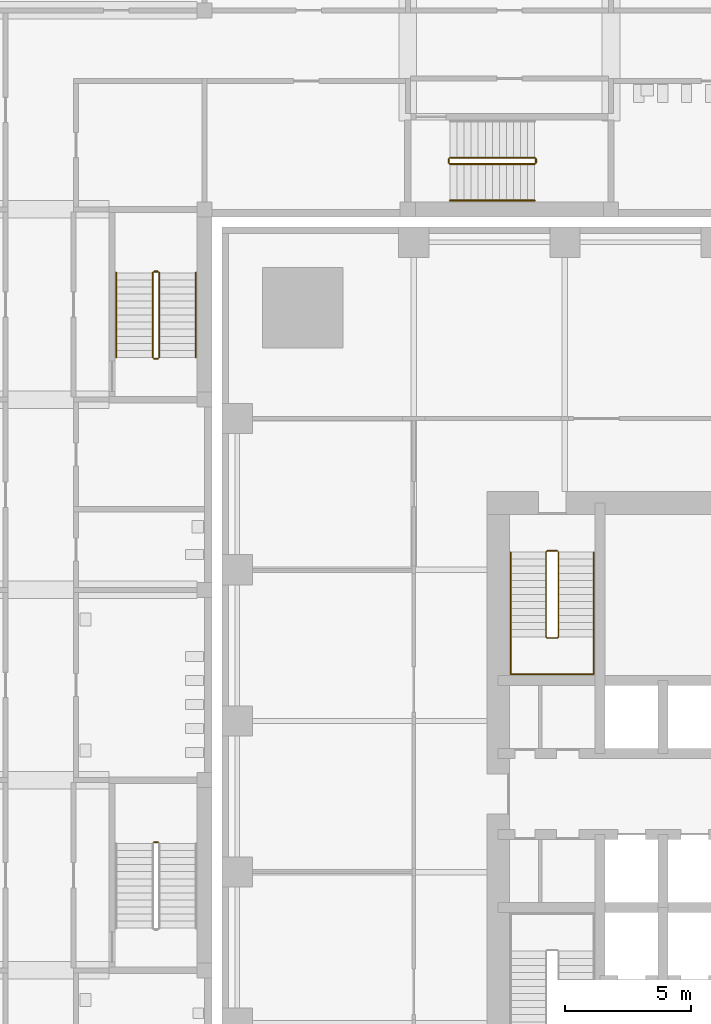
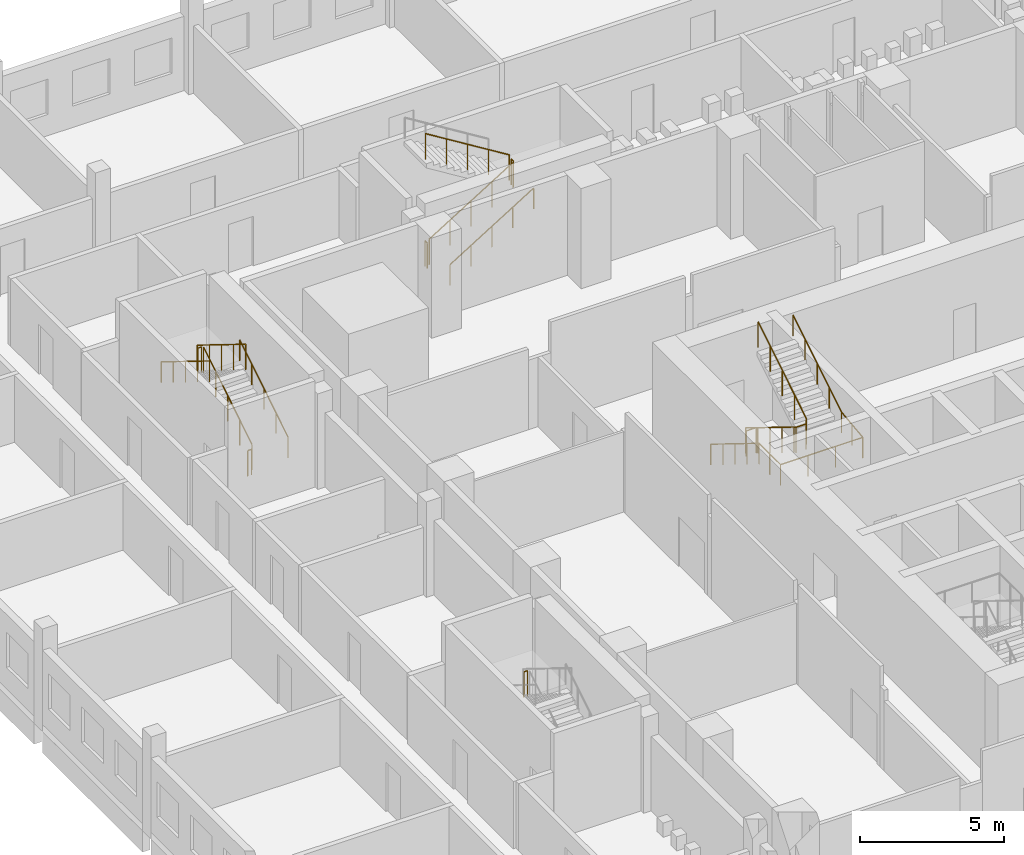
# One storey, part 21 of 24: 14 railings.
"""IFC4 building model written with IfcOpenShell, lengths in metres."""

from ifc_helpers import new_model, si_unit, direction, frame, origin, origin_2d, place, context, subcontext, project, spatial, circle, extrude, material, type_object, element, save


model = new_model("IFC4")

# Units and contexts
model_context = context("Model", 3, precision=1e-05, world=origin(), true_north=direction((0.0, 1.0)))
body_context = subcontext(model_context, "Body", "Model", "MODEL_VIEW")
ifc_project = project(units=[si_unit("LENGTHUNIT", "METRE"), si_unit("AREAUNIT", "SQUARE_METRE"), si_unit("VOLUMEUNIT", "CUBIC_METRE"), si_unit("PLANEANGLEUNIT", "RADIAN"), si_unit("MASSUNIT", "GRAM", prefix="KILO")], contexts=[model_context])

# Site, building, storey
site_placement = place(None, origin())
site = spatial("IfcSite", under=ifc_project, at=site_placement, CompositionType="ELEMENT")
building_placement = place(site_placement, origin())
building = spatial("IfcBuilding", under=site, at=building_placement, Name="Amberfall Residences", CompositionType="ELEMENT")
storey_placement = place(building_placement, frame((0.0, 0.0, 19.0)))
storey = spatial("IfcBuildingStorey", under=building, at=storey_placement, Name="L04", CompositionType="ELEMENT", Elevation=19.0)

# Railings
ifc_material_1 = material(Name="Stainless steel", Category="steel")
railing_type_1 = type_object("IfcRailingType", Name="School stair guard 1100", PredefinedType="GUARDRAIL", material=ifc_material_1)
railing_1_placement = place(storey_placement, frame((49.449951171875, 43.5849609375, 2.25)))
element("IfcRailing", 1, at=railing_1_placement, inside=storey, type_object=railing_type_1, Name="L04 SS2 stair guard 2", PredefinedType="GUARDRAIL", context=body_context, shape_type="SweptSolid", body=[
    extrude(circle(Radius=0.02392578125, at=origin_2d()), frame((0.0, 0.0, 1.076171875), z_axis=(-1.0, 0.0, 0.0), x_axis=(0.0, -1.0, 0.0)), (0.0, 0.0, 1.0), 0.14990234375),
    extrude(circle(Radius=0.02099609375, at=origin_2d()), origin(), (0.0, 0.0, 1.0), 1.052001953125),
    extrude(circle(Radius=0.02099609375, at=origin_2d()), frame((-0.14990234375, 0.0, 0.0)), (0.0, 0.0, 1.0), 1.052001953125),
])
railing_2_placement = place(storey_placement, frame((49.5, 62.824951171875, 0.173095703125)))
element("IfcRailing", 2, at=railing_2_placement, inside=storey, type_object=railing_type_1, Name="L04 SS3 stair guard 1", PredefinedType="GUARDRAIL", context=body_context, shape_type="SweptSolid", body=[
    extrude(circle(Radius=0.02392578125, at=origin_2d()), frame((0.0, 0.0, 1.076171875), z_axis=(0.0, 0.850623216509, 0.525775754039), x_axis=(-1.0, 0.0, 0.0)), (0.0, 0.0, 1.0), 3.9501953125),
    extrude(circle(Radius=0.02099609375, at=origin_2d()), origin(), (0.0, 0.0, 1.0), 1.052001953125),
    extrude(circle(Radius=0.02099609375, at=origin_2d()), frame((0.0, 0.840087890625, 0.519287109375)), (0.0, 0.0, 1.0), 1.052001953125),
    extrude(circle(Radius=0.02099609375, at=origin_2d()), frame((0.0, 1.68017578125, 1.03857421875)), (0.0, 0.0, 1.0), 1.052001953125),
    extrude(circle(Radius=0.02099609375, at=origin_2d()), frame((0.0, 2.52001953125, 1.5576171875)), (0.0, 0.0, 1.0), 1.052001953125),
    extrude(circle(Radius=0.02099609375, at=origin_2d()), frame((0.0, 3.360107421875, 2.076904296875)), (0.0, 0.0, 1.0), 1.052001953125),
])
railing_3_placement = place(storey_placement, frame((49.449951171875, 66.235107421875, 2.25)))
element("IfcRailing", 3, at=railing_3_placement, inside=storey, type_object=railing_type_1, Name="L04 SS3 stair guard 2", PredefinedType="GUARDRAIL", context=body_context, shape_type="SweptSolid", body=[
    extrude(circle(Radius=0.02392578125, at=origin_2d()), frame((0.0, 0.0, 1.076171875), z_axis=(-1.0, 0.0, 0.0), x_axis=(0.0, -1.0, 0.0)), (0.0, 0.0, 1.0), 0.14990234375),
    extrude(circle(Radius=0.02099609375, at=origin_2d()), origin(), (0.0, 0.0, 1.0), 1.052001953125),
    extrude(circle(Radius=0.02099609375, at=origin_2d()), frame((-0.14990234375, 0.0, 0.0)), (0.0, 0.0, 1.0), 1.052001953125),
])
railing_4_placement = place(storey_placement, frame((49.25, 66.18505859375, 2.423095703125)))
element("IfcRailing", 4, at=railing_4_placement, inside=storey, type_object=railing_type_1, Name="L04 SS3 stair guard 3", PredefinedType="GUARDRAIL", context=body_context, shape_type="SweptSolid", body=[
    extrude(circle(Radius=0.02392578125, at=origin_2d()), frame((0.0, 0.0, 1.076171875), z_axis=(0.0, -0.850623216509, 0.525775754039), x_axis=(1.0, 0.0, 0.0)), (0.0, 0.0, 1.0), 3.9501953125),
    extrude(circle(Radius=0.02099609375, at=origin_2d()), origin(), (0.0, 0.0, 1.0), 1.052001953125),
    extrude(circle(Radius=0.02099609375, at=origin_2d()), frame((0.0, -0.840087890625, 0.519287109375)), (0.0, 0.0, 1.0), 1.052001953125),
    extrude(circle(Radius=0.02099609375, at=origin_2d()), frame((0.0, -1.68017578125, 1.03857421875)), (0.0, 0.0, 1.0), 1.052001953125),
    extrude(circle(Radius=0.02099609375, at=origin_2d()), frame((0.0, -2.52001953125, 1.5576171875)), (0.0, 0.0, 1.0), 1.052001953125),
    extrude(circle(Radius=0.02099609375, at=origin_2d()), frame((0.0, -3.360107421875, 2.076904296875)), (0.0, 0.0, 1.0), 1.052001953125),
])
railing_5_placement = place(storey_placement, frame((49.449951171875, 62.77490234375, 0.0)))
element("IfcRailing", 5, at=railing_5_placement, inside=storey, type_object=railing_type_1, Name="L04 SS3 stair guard 4", PredefinedType="GUARDRAIL", context=body_context, shape_type="SweptSolid", body=[
    extrude(circle(Radius=0.02392578125, at=origin_2d()), frame((0.0, 0.0, 1.076171875), z_axis=(-1.0, 0.0, 0.0), x_axis=(0.0, -1.0, 0.0)), (0.0, 0.0, 1.0), 0.14990234375),
    extrude(circle(Radius=0.02099609375, at=origin_2d()), origin(), (0.0, 0.0, 1.0), 1.052001953125),
    extrude(circle(Radius=0.02099609375, at=origin_2d()), frame((-0.14990234375, 0.0, 0.0)), (0.0, 0.0, 1.0), 1.052001953125),
])
railing_6_placement = place(storey_placement, frame((61.0419921875, 70.5, 0.173095703125)))
element("IfcRailing", 6, at=railing_6_placement, inside=storey, type_object=railing_type_1, Name="L04 SS4 stair guard 1", PredefinedType="GUARDRAIL", context=body_context, shape_type="SweptSolid", body=[
    extrude(circle(Radius=0.02392578125, at=origin_2d()), frame((0.0, 0.0, 1.076171875), z_axis=(0.850623216509, 0.0, 0.525775754039), x_axis=(0.0, 1.0, 0.0)), (0.0, 0.0, 1.0), 3.9501953125),
    extrude(circle(Radius=0.02099609375, at=origin_2d()), origin(), (0.0, 0.0, 1.0), 1.052001953125),
    extrude(circle(Radius=0.02099609375, at=origin_2d()), frame((0.840087890625, 0.0, 0.519287109375)), (0.0, 0.0, 1.0), 1.052001953125),
    extrude(circle(Radius=0.02099609375, at=origin_2d()), frame((1.68017578125, 0.0, 1.03857421875)), (0.0, 0.0, 1.0), 1.052001953125),
    extrude(circle(Radius=0.02099609375, at=origin_2d()), frame((2.52001953125, 0.0, 1.5576171875)), (0.0, 0.0, 1.0), 1.052001953125),
    extrude(circle(Radius=0.02099609375, at=origin_2d()), frame((3.360107421875, 0.0, 2.076904296875)), (0.0, 0.0, 1.0), 1.052001953125),
])
railing_7_placement = place(storey_placement, frame((64.451904296875, 70.550048828125, 2.25)))
element("IfcRailing", 7, at=railing_7_placement, inside=storey, type_object=railing_type_1, Name="L04 SS4 stair guard 2", PredefinedType="GUARDRAIL", context=body_context, shape_type="SweptSolid", body=[
    extrude(circle(Radius=0.02392578125, at=origin_2d()), frame((0.0, 0.0, 1.076171875), z_axis=(0.0, 1.0, 0.0), x_axis=(-1.0, 0.0, 0.0)), (0.0, 0.0, 1.0), 0.14990234375),
    extrude(circle(Radius=0.02099609375, at=origin_2d()), origin(), (0.0, 0.0, 1.0), 1.052001953125),
    extrude(circle(Radius=0.02099609375, at=origin_2d()), frame((0.0, 0.14990234375, 0.0)), (0.0, 0.0, 1.0), 1.052001953125),
])
railing_8_placement = place(storey_placement, frame((64.402099609375, 70.75, 2.423095703125)))
element("IfcRailing", 8, at=railing_8_placement, inside=storey, type_object=railing_type_1, Name="L04 SS4 stair guard 3", PredefinedType="GUARDRAIL", context=body_context, shape_type="SweptSolid", body=[
    extrude(circle(Radius=0.02392578125, at=origin_2d()), frame((0.0, 0.0, 1.076171875), z_axis=(-0.850623216509, 0.0, 0.525775754039), x_axis=(0.0, -1.0, 0.0)), (0.0, 0.0, 1.0), 3.9501953125),
    extrude(circle(Radius=0.02099609375, at=origin_2d()), origin(), (0.0, 0.0, 1.0), 1.052001953125),
    extrude(circle(Radius=0.02099609375, at=origin_2d()), frame((-0.840087890625, 0.0, 0.519287109375)), (0.0, 0.0, 1.0), 1.052001953125),
    extrude(circle(Radius=0.02099609375, at=origin_2d()), frame((-1.68017578125, 0.0, 1.03857421875)), (0.0, 0.0, 1.0), 1.052001953125),
    extrude(circle(Radius=0.02099609375, at=origin_2d()), frame((-2.52001953125, 0.0, 1.5576171875)), (0.0, 0.0, 1.0), 1.052001953125),
    extrude(circle(Radius=0.02099609375, at=origin_2d()), frame((-3.360107421875, 0.0, 2.076904296875)), (0.0, 0.0, 1.0), 1.052001953125),
])
railing_9_placement = place(storey_placement, frame((60.991943359375, 70.550048828125, 0.0)))
element("IfcRailing", 9, at=railing_9_placement, inside=storey, type_object=railing_type_1, Name="L04 SS4 stair guard 4", PredefinedType="GUARDRAIL", context=body_context, shape_type="SweptSolid", body=[
    extrude(circle(Radius=0.02392578125, at=origin_2d()), frame((0.0, 0.0, 1.076171875), z_axis=(0.0, 1.0, 0.0), x_axis=(-1.0, 0.0, 0.0)), (0.0, 0.0, 1.0), 0.14990234375),
    extrude(circle(Radius=0.02099609375, at=origin_2d()), origin(), (0.0, 0.0, 1.0), 1.052001953125),
    extrude(circle(Radius=0.02099609375, at=origin_2d()), frame((0.0, 0.14990234375, 0.0)), (0.0, 0.0, 1.0), 1.052001953125),
])
railing_type_2 = type_object("IfcRailingType", Name="School stair handrail", PredefinedType="HANDRAIL", material=ifc_material_1)
railing_10_placement = place(storey_placement, frame((50.949951171875, 62.824951171875, 0.173095703125)))
element("IfcRailing", 10, at=railing_10_placement, inside=storey, type_object=railing_type_2, Name="L04 SS3 stair handrail 1", PredefinedType="HANDRAIL", context=body_context, shape_type="SweptSolid", body=[
    extrude(circle(Radius=0.02392578125, at=origin_2d()), frame((0.0, 0.0, 0.8759765625), z_axis=(0.0, 0.850623216509, 0.525775754039), x_axis=(-1.0, 0.0, 0.0)), (0.0, 0.0, 1.0), 3.9501953125),
    extrude(circle(Radius=0.02099609375, at=origin_2d()), origin(), (0.0, 0.0, 1.0), 0.851806640625),
    extrude(circle(Radius=0.02099609375, at=origin_2d()), frame((0.0, 0.840087890625, 0.519287109375)), (0.0, 0.0, 1.0), 0.851806640625),
    extrude(circle(Radius=0.02099609375, at=origin_2d()), frame((0.0, 1.68017578125, 1.03857421875)), (0.0, 0.0, 1.0), 0.851806640625),
    extrude(circle(Radius=0.02099609375, at=origin_2d()), frame((0.0, 2.52001953125, 1.5576171875)), (0.0, 0.0, 1.0), 0.851806640625),
    extrude(circle(Radius=0.02099609375, at=origin_2d()), frame((0.0, 3.360107421875, 2.076904296875)), (0.0, 0.0, 1.0), 0.851806640625),
])
railing_11_placement = place(storey_placement, frame((47.800048828125, 66.18505859375, 2.423095703125)))
element("IfcRailing", 11, at=railing_11_placement, inside=storey, type_object=railing_type_2, Name="L04 SS3 stair handrail 2", PredefinedType="HANDRAIL", context=body_context, shape_type="SweptSolid", body=[
    extrude(circle(Radius=0.02392578125, at=origin_2d()), frame((0.0, 0.0, 0.8759765625), z_axis=(0.0, -0.850623216509, 0.525775754039), x_axis=(1.0, 0.0, 0.0)), (0.0, 0.0, 1.0), 3.9501953125),
    extrude(circle(Radius=0.02099609375, at=origin_2d()), origin(), (0.0, 0.0, 1.0), 0.851806640625),
    extrude(circle(Radius=0.02099609375, at=origin_2d()), frame((0.0, -0.840087890625, 0.519287109375)), (0.0, 0.0, 1.0), 0.851806640625),
    extrude(circle(Radius=0.02099609375, at=origin_2d()), frame((0.0, -1.68017578125, 1.03857421875)), (0.0, 0.0, 1.0), 0.851806640625),
    extrude(circle(Radius=0.02099609375, at=origin_2d()), frame((0.0, -2.52001953125, 1.5576171875)), (0.0, 0.0, 1.0), 0.851806640625),
    extrude(circle(Radius=0.02099609375, at=origin_2d()), frame((0.0, -3.360107421875, 2.076904296875)), (0.0, 0.0, 1.0), 0.851806640625),
])
railing_12_placement = place(storey_placement, frame((61.0419921875, 69.050048828125, 0.173095703125)))
element("IfcRailing", 12, at=railing_12_placement, inside=storey, type_object=railing_type_2, Name="L04 SS4 stair handrail 1", PredefinedType="HANDRAIL", context=body_context, shape_type="SweptSolid", body=[
    extrude(circle(Radius=0.02392578125, at=origin_2d()), frame((0.0, 0.0, 0.8759765625), z_axis=(0.850623216509, 0.0, 0.525775754039), x_axis=(0.0, 1.0, 0.0)), (0.0, 0.0, 1.0), 3.9501953125),
    extrude(circle(Radius=0.02099609375, at=origin_2d()), origin(), (0.0, 0.0, 1.0), 0.851806640625),
    extrude(circle(Radius=0.02099609375, at=origin_2d()), frame((0.840087890625, 0.0, 0.519287109375)), (0.0, 0.0, 1.0), 0.851806640625),
    extrude(circle(Radius=0.02099609375, at=origin_2d()), frame((1.68017578125, 0.0, 1.03857421875)), (0.0, 0.0, 1.0), 0.851806640625),
    extrude(circle(Radius=0.02099609375, at=origin_2d()), frame((2.52001953125, 0.0, 1.5576171875)), (0.0, 0.0, 1.0), 0.851806640625),
    extrude(circle(Radius=0.02099609375, at=origin_2d()), frame((3.360107421875, 0.0, 2.076904296875)), (0.0, 0.0, 1.0), 0.851806640625),
])
ifc_material_2 = material(Name="Stainless steel 316", Category="steel")
railing_type_3 = type_object("IfcRailingType", Name="Stair guard 1100", PredefinedType="GUARDRAIL", material=ifc_material_2)
railing_13_placement = place(storey_placement, frame((65.300048828125, 55.14990234375, 0.0)))
element("IfcRailing", 13, at=railing_13_placement, inside=storey, type_object=railing_type_3, Name="L04 stair 4 guard", PredefinedType="GUARDRAIL", context=body_context, shape_type="SweptSolid", body=[
    extrude(circle(Radius=0.02392578125, at=origin_2d()), frame((0.0, 0.0, 1.076171875), z_axis=(-1.0, 0.0, 0.0), x_axis=(0.0, -1.0, 0.0)), (0.0, 0.0, 1.0), 0.400146484375),
    extrude(circle(Radius=0.02392578125, at=origin_2d()), frame((-0.400146484375, 0.0, 1.076171875), z_axis=(-0.26651005591, -0.26651005591, 0.926253086471), x_axis=(0.707106781187, -0.707106781187, 0.0)), (0.0, 0.0, 1.0), 0.186767578125),
    extrude(circle(Radius=0.02392578125, at=origin_2d()), frame((-0.449951171875, -0.0498046875, 1.2490234375), z_axis=(0.0, -0.850623216509, 0.525775754039), x_axis=(1.0, 0.0, 0.0)), (0.0, 0.0, 1.0), 3.9501953125),
    extrude(circle(Radius=0.02392578125, at=origin_2d()), frame((-0.449951171875, -3.409912109375, 3.326171875), z_axis=(0.705375805398, -0.708833529934, 0.0), x_axis=(0.708833529934, 0.705375805398, 0.0)), (0.0, 0.0, 1.0), 0.070556640625),
    extrude(circle(Radius=0.02392578125, at=origin_2d()), frame((-0.400146484375, -3.4599609375, 3.326171875), z_axis=(1.0, 0.0, 0.0), x_axis=(0.0, 1.0, 0.0)), (0.0, 0.0, 1.0), 0.400146484375),
    extrude(circle(Radius=0.02392578125, at=origin_2d()), frame((0.0, -3.4599609375, 3.326171875), z_axis=(0.267629722418, 0.267629722418, 0.925607186314), x_axis=(-0.707106781187, 0.707106781187, 0.0)), (0.0, 0.0, 1.0), 0.18701171875),
    extrude(circle(Radius=0.02392578125, at=origin_2d()), frame((0.050048828125, -3.409912109375, 3.4990234375), z_axis=(0.0, 0.850623216509, 0.525775754039), x_axis=(-1.0, 0.0, 0.0)), (0.0, 0.0, 1.0), 3.9501953125),
    extrude(circle(Radius=0.02099609375, at=origin_2d()), origin(), (0.0, 0.0, 1.0), 1.052001953125),
    extrude(circle(Radius=0.02099609375, at=origin_2d()), frame((-0.400146484375, 0.0, 0.0)), (0.0, 0.0, 1.0), 1.052001953125),
    extrude(circle(Radius=0.02099609375, at=origin_2d()), frame((-0.449951171875, -0.0498046875, 0.173095703125)), (0.0, 0.0, 1.0), 1.052001953125),
    extrude(circle(Radius=0.02099609375, at=origin_2d()), frame((-0.449951171875, -0.889892578125, 0.6923828125)), (0.0, 0.0, 1.0), 1.052001953125),
    extrude(circle(Radius=0.02099609375, at=origin_2d()), frame((-0.449951171875, -1.72998046875, 1.21142578125)), (0.0, 0.0, 1.0), 1.052001953125),
    extrude(circle(Radius=0.02099609375, at=origin_2d()), frame((-0.449951171875, -2.56982421875, 1.730712890625)), (0.0, 0.0, 1.0), 1.052001953125),
    extrude(circle(Radius=0.02099609375, at=origin_2d()), frame((-0.449951171875, -3.409912109375, 2.25)), (0.0, 0.0, 1.0), 1.052001953125),
    extrude(circle(Radius=0.02099609375, at=origin_2d()), frame((-0.400146484375, -3.4599609375, 2.25)), (0.0, 0.0, 1.0), 1.052001953125),
    extrude(circle(Radius=0.02099609375, at=origin_2d()), frame((0.0, -3.4599609375, 2.25)), (0.0, 0.0, 1.0), 1.052001953125),
    extrude(circle(Radius=0.02099609375, at=origin_2d()), frame((0.050048828125, -3.409912109375, 2.423095703125)), (0.0, 0.0, 1.0), 1.052001953125),
    extrude(circle(Radius=0.02099609375, at=origin_2d()), frame((0.050048828125, -2.56982421875, 2.9423828125)), (0.0, 0.0, 1.0), 1.052001953125),
    extrude(circle(Radius=0.02099609375, at=origin_2d()), frame((0.050048828125, -1.72998046875, 3.46142578125)), (0.0, 0.0, 1.0), 1.052001953125),
    extrude(circle(Radius=0.02099609375, at=origin_2d()), frame((0.050048828125, -0.889892578125, 3.980712890625)), (0.0, 0.0, 1.0), 1.052001953125),
    extrude(circle(Radius=0.02099609375, at=origin_2d()), frame((0.050048828125, -0.0498046875, 4.5)), (0.0, 0.0, 1.0), 1.052001953125),
])
railing_type_4 = type_object("IfcRailingType", Name="Stair handrail 900", PredefinedType="HANDRAIL", material=ifc_material_2)
railing_14_placement = place(storey_placement, frame((63.449951171875, 55.10009765625, 0.173095703125)))
element("IfcRailing", 14, at=railing_14_placement, inside=storey, type_object=railing_type_4, Name="L04 stair 4 handrail", PredefinedType="HANDRAIL", context=body_context, shape_type="SweptSolid", body=[
    extrude(circle(Radius=0.02392578125, at=origin_2d()), frame((0.0, 0.0, 0.8759765625), z_axis=(0.0, -0.850623216509, 0.525775754039), x_axis=(1.0, 0.0, 0.0)), (0.0, 0.0, 1.0), 3.9501953125),
    extrude(circle(Radius=0.02392578125, at=origin_2d()), frame((0.0, -3.360107421875, 2.95263671875), z_axis=(0.0, -1.0, 0.0), x_axis=(1.0, 0.0, 0.0)), (0.0, 0.0, 1.0), 1.489990234375),
    extrude(circle(Radius=0.02392578125, at=origin_2d()), frame((0.0, -4.85009765625, 2.95263671875), z_axis=(1.0, 0.0, 0.0), x_axis=(0.0, 1.0, 0.0)), (0.0, 0.0, 1.0), 3.300048828125),
    extrude(circle(Radius=0.02392578125, at=origin_2d()), frame((3.300048828125, -4.85009765625, 2.95263671875), z_axis=(0.0, 0.993319533971, 0.115396288642), x_axis=(-1.0, 0.0, 0.0)), (0.0, 0.0, 1.0), 1.5),
    extrude(circle(Radius=0.02392578125, at=origin_2d()), frame((3.300048828125, -3.360107421875, 3.1259765625), z_axis=(0.0, 0.850623216509, 0.525775754039), x_axis=(-1.0, 0.0, 0.0)), (0.0, 0.0, 1.0), 3.9501953125),
    extrude(circle(Radius=0.02099609375, at=origin_2d()), origin(), (0.0, 0.0, 1.0), 0.851806640625),
    extrude(circle(Radius=0.02099609375, at=origin_2d()), frame((0.0, -0.840087890625, 0.519287109375)), (0.0, 0.0, 1.0), 0.851806640625),
    extrude(circle(Radius=0.02099609375, at=origin_2d()), frame((0.0, -1.68017578125, 1.03857421875)), (0.0, 0.0, 1.0), 0.851806640625),
    extrude(circle(Radius=0.02099609375, at=origin_2d()), frame((0.0, -2.52001953125, 1.5576171875)), (0.0, 0.0, 1.0), 0.851806640625),
    extrude(circle(Radius=0.02099609375, at=origin_2d()), frame((0.0, -3.360107421875, 2.076904296875)), (0.0, 0.0, 1.0), 0.851806640625),
    extrude(circle(Radius=0.02099609375, at=origin_2d()), frame((0.0, -4.10498046875, 2.076904296875)), (0.0, 0.0, 1.0), 0.851806640625),
    extrude(circle(Radius=0.02099609375, at=origin_2d()), frame((0.0, -4.85009765625, 2.076904296875)), (0.0, 0.0, 1.0), 0.851806640625),
    extrude(circle(Radius=0.02099609375, at=origin_2d()), frame((1.10009765625, -4.85009765625, 2.076904296875)), (0.0, 0.0, 1.0), 0.851806640625),
    extrude(circle(Radius=0.02099609375, at=origin_2d()), frame((2.199951171875, -4.85009765625, 2.076904296875)), (0.0, 0.0, 1.0), 0.851806640625),
    extrude(circle(Radius=0.02099609375, at=origin_2d()), frame((3.300048828125, -4.85009765625, 2.076904296875)), (0.0, 0.0, 1.0), 0.851806640625),
    extrude(circle(Radius=0.02099609375, at=origin_2d()), frame((3.300048828125, -4.10498046875, 2.16357421875)), (0.0, 0.0, 1.0), 0.851806640625),
    extrude(circle(Radius=0.02099609375, at=origin_2d()), frame((3.300048828125, -3.360107421875, 2.25)), (0.0, 0.0, 1.0), 0.851806640625),
    extrude(circle(Radius=0.02099609375, at=origin_2d()), frame((3.300048828125, -2.52001953125, 2.769287109375)), (0.0, 0.0, 1.0), 0.851806640625),
    extrude(circle(Radius=0.02099609375, at=origin_2d()), frame((3.300048828125, -1.68017578125, 3.28857421875)), (0.0, 0.0, 1.0), 0.851806640625),
    extrude(circle(Radius=0.02099609375, at=origin_2d()), frame((3.300048828125, -0.840087890625, 3.8076171875)), (0.0, 0.0, 1.0), 0.851806640625),
    extrude(circle(Radius=0.02099609375, at=origin_2d()), frame((3.300048828125, 0.0, 4.326904296875)), (0.0, 0.0, 1.0), 0.851806640625),
])

save(model, "model.ifc")
